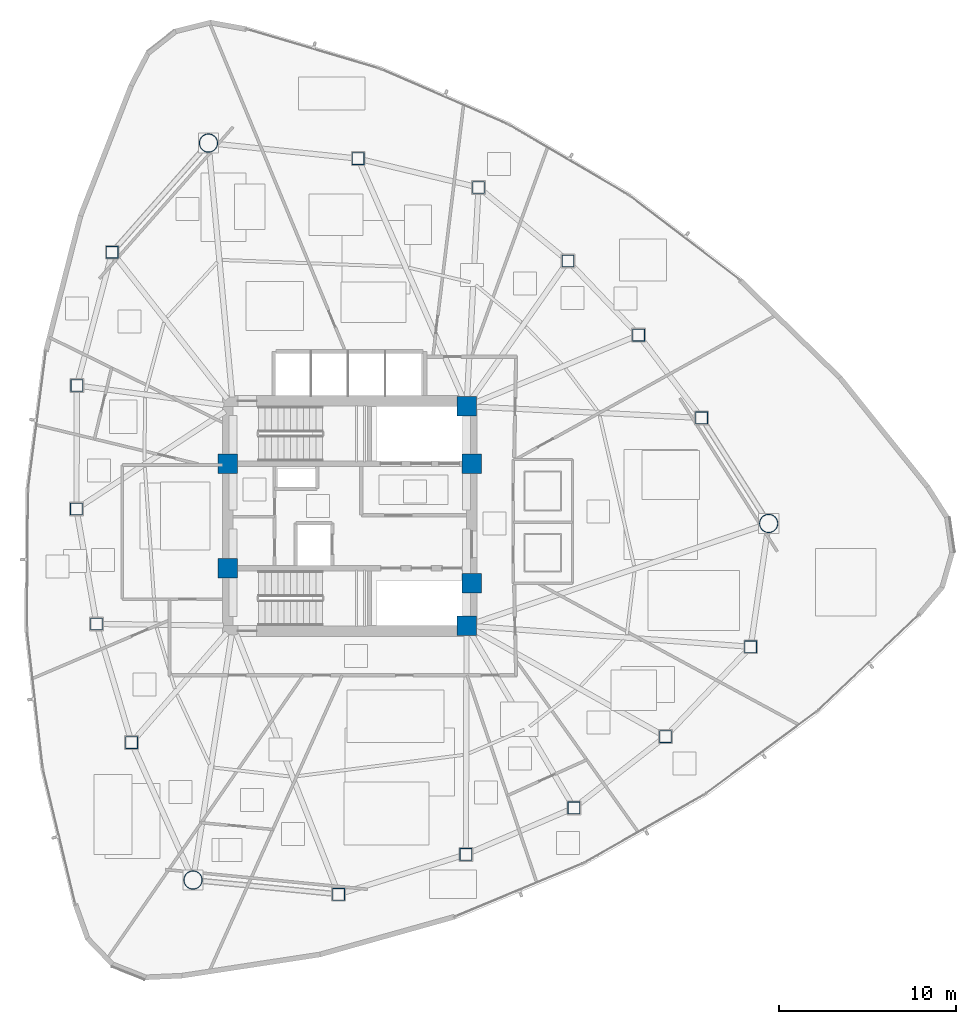
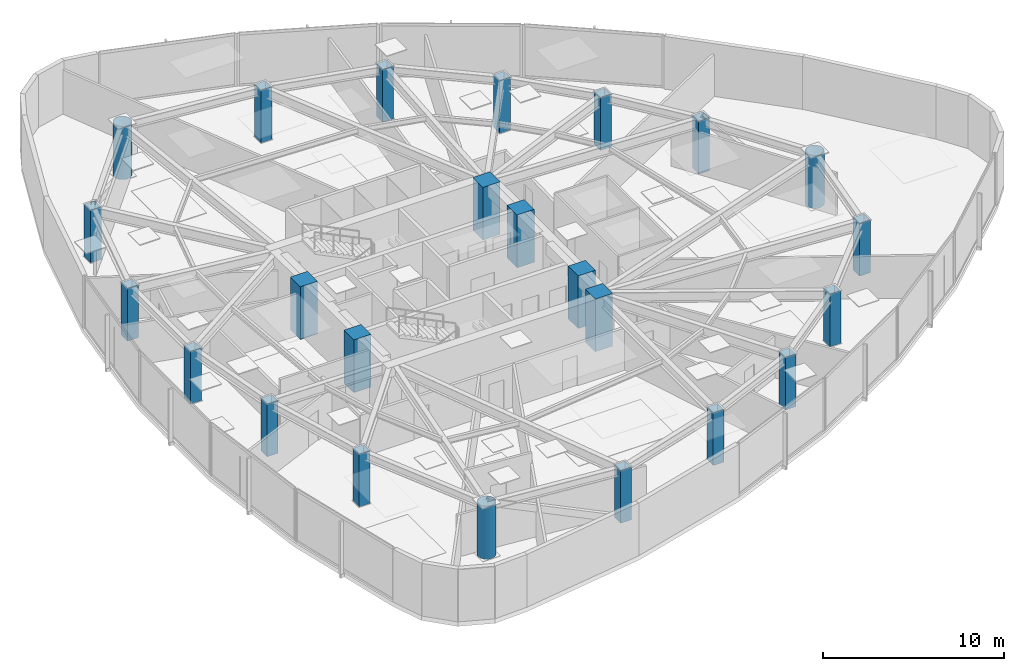
# One storey, part 1 of 17: 24 columns.
"""IFC4 building model written with IfcOpenShell, lengths in metres."""

import ifcopenshell
import ifcopenshell.guid

model = None  # the IFC model being written
_history = None  # IfcOwnerHistory: only IFC2X3 demands one
_inside = {}  # id of a spatial element -> (the spatial element, [elements in it])
_under = {}  # id of a project, library or spatial element -> (it, [spatial elements below it])
_declared = {}  # id of a project -> (the project, [libraries it declares])
_typed = {}  # id of a type object -> (the type object, [elements of that type])
_made_of = {}  # id of a material, layer set ... -> (it, [elements and type objects made of it])


def new_model(schema):
    """Start an empty IFC model of exactly this schema.

    Asked for "IFC4X3", IfcOpenShell would pick the latest addendum, in which some entities
    have other attributes; the version numbers below select the first issue.
    IFC2X3 requires an IfcOwnerHistory on every rooted entity: one is made here for all.
    """
    global model, _history
    if schema == "IFC4X3":
        model = ifcopenshell.file(schema_version=(4, 3, 0, 0))
    else:
        model = ifcopenshell.file(schema=schema)
    _inside.clear()
    _under.clear()
    _declared.clear()
    _typed.clear()
    _made_of.clear()
    _history = None
    if model.schema == "IFC2X3":
        org = make("IfcOrganization", Name="unknown")
        user = make(
            "IfcPersonAndOrganization",
            ThePerson=make("IfcPerson", FamilyName="unknown"),
            TheOrganization=org,
        )
        app = make(
            "IfcApplication",
            ApplicationDeveloper=org,
            Version="unknown",
            ApplicationFullName="unknown",
            ApplicationIdentifier="unknown",
        )
        _history = make(
            "IfcOwnerHistory",
            OwningUser=user,
            OwningApplication=app,
            ChangeAction="ADDED",
            CreationDate=0,
        )
    return model


def make(cls, **values):
    """One entity of the class cls with the attributes given. An attribute that is None is left unset."""
    return model.create_entity(
        cls, **{name: value for name, value in values.items() if value is not None}
    )


def rooted(cls, **values):
    """An entity with a GlobalId (a new one), such as an element, a storey or a relation."""
    return make(cls, GlobalId=ifcopenshell.guid.new(), OwnerHistory=_history, **values)


def si_unit(unit_type, name, prefix=None):
    """IfcSIUnit, for example si_unit("LENGTHUNIT", "METRE", prefix="MILLI")."""
    return make("IfcSIUnit", UnitType=unit_type, Prefix=prefix, Name=name)


def assignment(units):
    """IfcUnitAssignment: the units of a project."""
    return None if units is None else make("IfcUnitAssignment", Units=units)


def point(xyz):
    """IfcCartesianPoint."""
    return None if xyz is None else make("IfcCartesianPoint", Coordinates=xyz)


def direction(xyz):
    """IfcDirection."""
    return None if xyz is None else make("IfcDirection", DirectionRatios=xyz)


def frame(location, z_axis=None, x_axis=None):
    """IfcAxis2Placement3D, a coordinate frame: its origin and axes. An axis left out is left unset."""
    return make(
        "IfcAxis2Placement3D",
        Location=point(location),
        Axis=direction(z_axis),
        RefDirection=direction(x_axis),
    )


def frame_2d(location, x_axis=None):
    """IfcAxis2Placement2D, a coordinate frame in the plane: its origin and x axis."""
    return make(
        "IfcAxis2Placement2D", Location=point(location), RefDirection=direction(x_axis)
    )


def origin():
    """The frame at (0, 0, 0) with its axes left unset."""
    return frame((0.0, 0.0, 0.0))


def origin_2d():
    """The frame at (0, 0) in the plane with its x axis left unset."""
    return frame_2d((0.0, 0.0))


def place(relative_to, where):
    """IfcLocalPlacement: puts the frame where relative to a parent placement (None: the world)."""
    return make(
        "IfcLocalPlacement", PlacementRelTo=relative_to, RelativePlacement=where
    )


def context(
    kind, dimensions, precision=None, world=None, true_north=None, identifier=None
):
    """IfcGeometricRepresentationContext, for example the 3D "Model" context."""
    return make(
        "IfcGeometricRepresentationContext",
        ContextIdentifier=identifier,
        ContextType=kind,
        CoordinateSpaceDimension=dimensions,
        Precision=precision,
        WorldCoordinateSystem=world,
        TrueNorth=true_north,
    )


def subcontext(parent, identifier, kind, view, scale=None):
    """IfcGeometricRepresentationSubContext, for example "Body" below "Model"."""
    return make(
        "IfcGeometricRepresentationSubContext",
        ContextIdentifier=identifier,
        ContextType=kind,
        ParentContext=parent,
        TargetScale=scale,
        TargetView=view,
    )


def project(units=None, contexts=None):
    """IfcProject with its units and contexts."""
    return rooted(
        "IfcProject",
        Name="project",
        RepresentationContexts=contexts,
        UnitsInContext=assignment(units),
    )


def spatial(cls, under=None, at=None, **own):
    """A site, building, storey or space (cls), placed at a placement, below another one or the project."""
    s = rooted(cls, ObjectPlacement=at, **own)
    if under is not None:
        _under.setdefault(under.id(), (under, []))[1].append(s)
    return s


def profile(cls, at=None, kind="AREA", **sizes):
    """A parametric profile (cls). Its sizes go by their IFC names, for example OverallWidth=200.0."""
    return make(cls, ProfileType=kind, Position=at, **sizes)


def rectangle(**sizes):
    """IfcRectangleProfileDef."""
    return profile("IfcRectangleProfileDef", **sizes)


def hollow_rectangle(**sizes):
    """IfcRectangleHollowProfileDef."""
    return profile("IfcRectangleHollowProfileDef", **sizes)


def hollow_circle(**sizes):
    """IfcCircleHollowProfileDef."""
    return profile("IfcCircleHollowProfileDef", **sizes)


def extrude(swept, where, along, depth):
    """IfcExtrudedAreaSolid: the profile swept, set in the frame where, extruded along a direction by depth."""
    return make(
        "IfcExtrudedAreaSolid",
        SweptArea=swept,
        Position=where,
        ExtrudedDirection=direction(along),
        Depth=depth,
    )


def shape(context_of_items, identifier, shape_type, items):
    """IfcShapeRepresentation: the items that make up one representation, for example the "Body"."""
    return make(
        "IfcShapeRepresentation",
        ContextOfItems=context_of_items,
        RepresentationIdentifier=identifier,
        RepresentationType=shape_type,
        Items=items,
    )


def material(Name=None, Category=None):
    """IfcMaterial."""
    return make("IfcMaterial", Name=Name, Category=Category)


def material_profile(
    of_material, cross_section, Name=None, Category=None, Priority=None
):
    """IfcMaterialProfile: a cross section and its material."""
    return make(
        "IfcMaterialProfile",
        Name=Name,
        Material=of_material,
        Profile=cross_section,
        Priority=Priority,
        Category=Category,
    )


def profile_set(profiles, Name=None, composite=None):
    """IfcMaterialProfileSet."""
    return make(
        "IfcMaterialProfileSet",
        Name=Name,
        MaterialProfiles=profiles,
        CompositeProfile=composite,
    )


def made_of(thing, what):
    """Note that an element or type object is made of a material, layer set ...; save() writes the relation."""
    if what is not None:
        _made_of.setdefault(what.id(), (what, []))[1].append(thing)
    return thing


def type_object(cls, material=None, **own):
    """A type object (cls), such as IfcWallType, which elements share."""
    return made_of(rooted(cls, **own), material)


def element(
    cls,
    number,
    at=None,
    inside=None,
    cuts=None,
    type_object=None,
    material=None,
    context=None,
    identifier="Body",
    shape_type=None,
    held_by="IfcProductDefinitionShape",
    body=None,
    shapes=None,
    **own,
):
    """One element of the class cls, such as IfcWall. Its Tag is "e" and its number.

    at: its placement. inside: the storey or other place that contains it. cuts: it is an
    opening in that element (IfcRelVoidsElement). A single representation is given by context,
    identifier, shape_type and body (its items); several are given by shapes. held_by: the class
    of the entity that holds the representations. save() writes the other relations.
    """
    e = rooted(cls, Tag="e%d" % number, ObjectPlacement=at, **own)
    if body is not None:
        shapes = [shape(context, identifier, shape_type, body)]
    if shapes is not None:
        e.Representation = make(held_by, Representations=shapes)
    if inside is not None:
        _inside.setdefault(inside.id(), (inside, []))[1].append(e)
    if cuts is not None:
        rooted(
            "IfcRelVoidsElement", RelatingBuildingElement=cuts, RelatedOpeningElement=e
        )
    if type_object is not None:
        _typed.setdefault(type_object.id(), (type_object, []))[1].append(e)
    return made_of(e, material)


def aggregate(whole, parts):
    """IfcRelAggregates: a whole, such as a stair, and the parts it consists of."""
    return rooted("IfcRelAggregates", RelatingObject=whole, RelatedObjects=parts)


def save(model, path):
    """Write the relations noted so far, then the file.

    IfcRelAggregates (storeys below a building ...), IfcRelContainedInSpatialStructure (elements
    in a storey), IfcRelDefinesByType, IfcRelAssociatesMaterial and IfcRelDeclares: one each for
    every whole, place, type object, material and project.
    """
    for whole, parts in _under.values():
        aggregate(whole, parts)
    for where, things in _inside.values():
        rooted(
            "IfcRelContainedInSpatialStructure",
            RelatedElements=things,
            RelatingStructure=where,
        )
    for kind, things in _typed.values():
        rooted("IfcRelDefinesByType", RelatedObjects=things, RelatingType=kind)
    for what, things in _made_of.values():
        rooted("IfcRelAssociatesMaterial", RelatedObjects=things, RelatingMaterial=what)
    for by, libraries in _declared.values():
        rooted("IfcRelDeclares", RelatingContext=by, RelatedDefinitions=libraries)
    model.write(path)


model = new_model("IFC4")

# Units and contexts
model_context = context("Model", 3, precision=1e-05, world=origin(), true_north=direction((0.0, 1.0)))
body_context = subcontext(model_context, "Body", "Model", "MODEL_VIEW")
ifc_project = project(units=[si_unit("LENGTHUNIT", "METRE"), si_unit("AREAUNIT", "SQUARE_METRE"), si_unit("VOLUMEUNIT", "CUBIC_METRE"), si_unit("PLANEANGLEUNIT", "RADIAN"), si_unit("MASSUNIT", "GRAM", prefix="KILO")], contexts=[model_context])

# Site, building, storey
site_placement = place(None, origin())
site = spatial("IfcSite", under=ifc_project, at=site_placement, CompositionType="ELEMENT")
building_placement = place(site_placement, origin())
building = spatial("IfcBuilding", under=site, at=building_placement, Name="Tavelor Broadcast Tower", CompositionType="ELEMENT")
storey_placement = place(building_placement, frame((0.0, 0.0, 142.550048828125)))
storey = spatial("IfcBuildingStorey", under=building, at=storey_placement, Name="L33", CompositionType="ELEMENT", Elevation=142.550048828125)

# Columns
ifc_material_1 = material(Name="Concrete C60/75", Category="concrete")
ifc_material_profile_1 = material_profile(ifc_material_1, rectangle(XDim=1.10009765625, YDim=1.10009765625, at=origin_2d()), Name="RC 1100x1100")
ifc_profile_set_1 = profile_set([ifc_material_profile_1], Name="Concrete C60/75")
column_type_1 = type_object("IfcColumnType", Name="Core Embedded Composite Column RC1100", PredefinedType="COLUMN", material=ifc_profile_set_1)
for number, where, z_axis, x_axis, name in (
    (1, (43.10009765625, 47.949951171875, 0.0), (0.0, 0.0, 1.0), (1.0, 0.0, 0.0), "L33 Core Embedded Column 1"),
    (2, (56.89990234375, 47.949951171875, 0.0), (0.0, 0.0, 1.0), (1.0, 0.0, 0.0), "L33 Core Embedded Column 2"),
    (3, (56.60009765625, 51.199951171875, 0.0), (0.0, 0.0, 1.0), (1.0, 0.0, 0.0), "L33 Core Embedded Column 3"),
    (4, (43.10009765625, 42.050048828125, 0.0), (0.0, 0.0, 1.0), (1.0, 0.0, 0.0), "L33 Core Embedded Column 4"),
    (5, (56.89990234375, 41.199951171875, 0.0), (0.0, 0.0, 1.0), (1.0, 0.0, 0.0), "L33 Core Embedded Column 5"),
    (6, (56.60009765625, 38.800048828125, 0.0), (0.0, 0.0, 1.0), (1.0, 0.0, 0.0), "L33 Core Embedded Column 6"),
):
    element("IfcColumn", number, at=place(storey_placement, frame(where, z_axis=z_axis, x_axis=x_axis)), inside=storey, type_object=column_type_1, Name=name, PredefinedType="COLUMN", context=body_context, shape_type="SweptSolid", body=[
        extrude(rectangle(XDim=1.10009765625, YDim=1.10009765625, at=origin_2d()), origin(), (0.0, 0.0, 1.0), 3.550048828125),
    ])
ifc_material_2 = material(Name="Steel S460", Category="steel")
ifc_material_profile_2 = material_profile(ifc_material_2, hollow_rectangle(XDim=0.699951171875, YDim=0.699951171875, WallThickness=0.0400390625, at=origin_2d()), Name="SHS 700x700x40")
ifc_profile_set_2 = profile_set([ifc_material_profile_2], Name="Steel S460")
column_type_2 = type_object("IfcColumnType", Name="Perimeter Tube Column T3 SHS 700x700x40", PredefinedType="COLUMN", material=ifc_profile_set_2)
for number, where, z_axis, x_axis, name in (
    (7, (36.567626953125, 59.91064453125, 0.0), (0.0, 0.0, 1.0), (1.0, 0.0, 0.0), "L33 Perimeter Framed-Tube Column 02"),
    (8, (34.5751953125, 52.37939453125, 0.0), (0.0, 0.0, 1.0), (1.0, 0.0, 0.0), "L33 Perimeter Framed-Tube Column 03"),
    (9, (34.54638671875, 45.399169921875, 0.0), (0.0, 0.0, 1.0), (1.0, 0.0, 0.0), "L33 Perimeter Framed-Tube Column 04"),
    (10, (35.680908203125, 38.89990234375, 0.0), (0.0, 0.0, 1.0), (1.0, 0.0, 0.0), "L33 Perimeter Framed-Tube Column 05"),
    (11, (37.668212890625, 32.1904296875, 0.0), (0.0, 0.0, 1.0), (1.0, 0.0, 0.0), "L33 Perimeter Framed-Tube Column 06"),
    (12, (49.366455078125, 23.618896484375, 0.0), (0.0, 0.0, 1.0), (1.0, 0.0, 0.0), "L33 Perimeter Framed-Tube Column 08"),
    (13, (56.56103515625, 25.872802734375, 0.0), (0.0, 0.0, 1.0), (1.0, 0.0, 0.0), "L33 Perimeter Framed-Tube Column 09"),
    (14, (62.669189453125, 28.503173828125, 0.0), (0.0, 0.0, 1.0), (1.0, 0.0, 0.0), "L33 Perimeter Framed-Tube Column 10"),
    (15, (67.84228515625, 32.53173828125, 0.0), (0.0, 0.0, 1.0), (1.0, 0.0, 0.0), "L33 Perimeter Framed-Tube Column 11"),
    (16, (72.6591796875, 37.607421875, 0.0), (0.0, 0.0, 1.0), (1.0, 0.0, 0.0), "L33 Perimeter Framed-Tube Column 12"),
    (17, (69.885986328125, 50.544189453125, 0.0), (0.0, 0.0, 1.0), (1.0, 0.0, 0.0), "L33 Perimeter Framed-Tube Column 14"),
    (18, (66.322021484375, 55.228759765625, 0.0), (0.0, 0.0, 1.0), (1.0, 0.0, 0.0), "L33 Perimeter Framed-Tube Column 15"),
    (19, (62.330810546875, 59.416259765625, 0.0), (0.0, 0.0, 1.0), (1.0, 0.0, 0.0), "L33 Perimeter Framed-Tube Column 16"),
    (20, (57.276611328125, 63.568359375, 0.0), (0.0, 0.0, 1.0), (1.0, 0.0, 0.0), "L33 Perimeter Framed-Tube Column 17"),
    (21, (50.472412109375, 65.2021484375, 0.0), (0.0, 0.0, 1.0), (1.0, 0.0, 0.0), "L33 Perimeter Framed-Tube Column 18"),
):
    element("IfcColumn", number, at=place(storey_placement, frame(where, z_axis=z_axis, x_axis=x_axis)), inside=storey, type_object=column_type_2, Name=name, PredefinedType="COLUMN", context=body_context, shape_type="SweptSolid", body=[
        extrude(hollow_rectangle(XDim=0.699951171875, YDim=0.699951171875, WallThickness=0.0400390625, at=origin_2d()), origin(), (0.0, 0.0, 1.0), 3.550048828125),
    ])
ifc_material_profile_3 = material_profile(ifc_material_2, hollow_circle(Radius=0.533447265625, WallThickness=0.044921875, at=origin_2d()), Name="CHS 1067x45")
ifc_profile_set_3 = profile_set([ifc_material_profile_3], Name="Steel S460")
column_type_3 = type_object("IfcColumnType", Name="Tower Mega Column T3 CHS 1067x45", PredefinedType="COLUMN", material=ifc_profile_set_3)
for number, where, z_axis, x_axis, name in (
    (22, (42.01123046875, 66.080078125, 0.0), (0.0, 0.0, 1.0), (1.0, 0.0, 0.0), "L33 Tower Corner Mega Column 01"),
    (23, (41.138671875, 24.423828125, 0.0), (0.0, 0.0, 1.0), (1.0, 0.0, 0.0), "L33 Tower Corner Mega Column 07"),
    (24, (73.676025390625, 44.57958984375, 0.0), (0.0, 0.0, 1.0), (1.0, 0.0, 0.0), "L33 Tower Corner Mega Column 13"),
):
    element("IfcColumn", number, at=place(storey_placement, frame(where, z_axis=z_axis, x_axis=x_axis)), inside=storey, type_object=column_type_3, Name=name, PredefinedType="COLUMN", context=body_context, shape_type="SweptSolid", body=[
        extrude(hollow_circle(Radius=0.533447265625, WallThickness=0.044921875, at=origin_2d()), origin(), (0.0, 0.0, 1.0), 3.550048828125),
    ])

save(model, "model.ifc")
